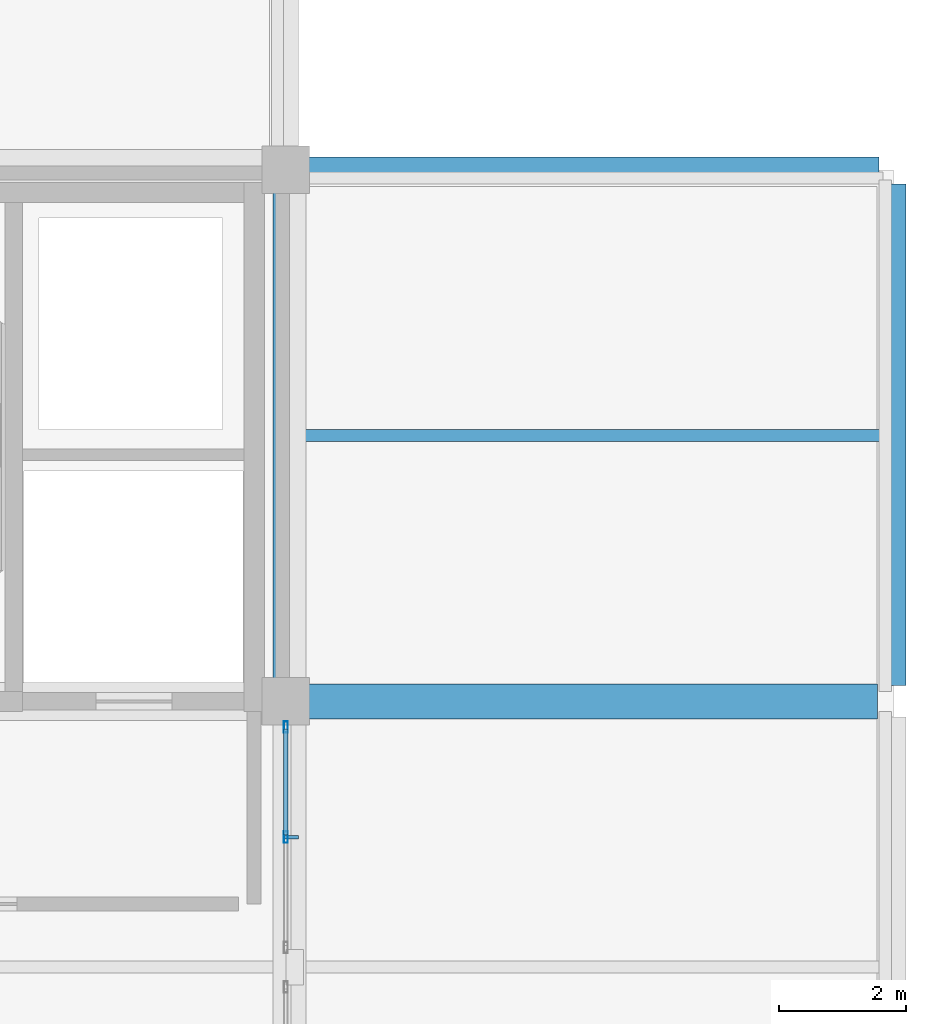
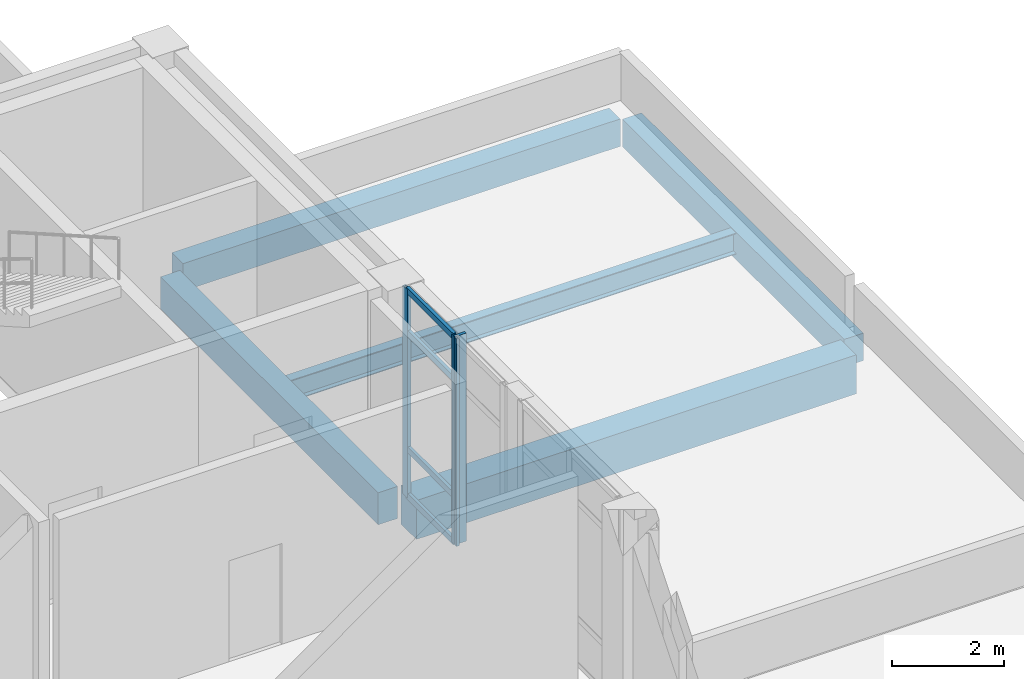
# One storey, part 59 of 88: 7 members, 5 beams, 1 element without a shape of its own.
"""IFC4 building model written with IfcOpenShell, lengths in metres."""

import ifcopenshell
import ifcopenshell.guid

model = None  # the IFC model being written
_history = None  # IfcOwnerHistory: only IFC2X3 demands one
_inside = {}  # id of a spatial element -> (the spatial element, [elements in it])
_under = {}  # id of a project, library or spatial element -> (it, [spatial elements below it])
_declared = {}  # id of a project -> (the project, [libraries it declares])
_typed = {}  # id of a type object -> (the type object, [elements of that type])
_made_of = {}  # id of a material, layer set ... -> (it, [elements and type objects made of it])


def new_model(schema):
    """Start an empty IFC model of exactly this schema.

    Asked for "IFC4X3", IfcOpenShell would pick the latest addendum, in which some entities
    have other attributes; the version numbers below select the first issue.
    IFC2X3 requires an IfcOwnerHistory on every rooted entity: one is made here for all.
    """
    global model, _history
    if schema == "IFC4X3":
        model = ifcopenshell.file(schema_version=(4, 3, 0, 0))
    else:
        model = ifcopenshell.file(schema=schema)
    _inside.clear()
    _under.clear()
    _declared.clear()
    _typed.clear()
    _made_of.clear()
    _history = None
    if model.schema == "IFC2X3":
        org = make("IfcOrganization", Name="unknown")
        user = make(
            "IfcPersonAndOrganization",
            ThePerson=make("IfcPerson", FamilyName="unknown"),
            TheOrganization=org,
        )
        app = make(
            "IfcApplication",
            ApplicationDeveloper=org,
            Version="unknown",
            ApplicationFullName="unknown",
            ApplicationIdentifier="unknown",
        )
        _history = make(
            "IfcOwnerHistory",
            OwningUser=user,
            OwningApplication=app,
            ChangeAction="ADDED",
            CreationDate=0,
        )
    return model


def make(cls, **values):
    """One entity of the class cls with the attributes given. An attribute that is None is left unset."""
    return model.create_entity(
        cls, **{name: value for name, value in values.items() if value is not None}
    )


def rooted(cls, **values):
    """An entity with a GlobalId (a new one), such as an element, a storey or a relation."""
    return make(cls, GlobalId=ifcopenshell.guid.new(), OwnerHistory=_history, **values)


def si_unit(unit_type, name, prefix=None):
    """IfcSIUnit, for example si_unit("LENGTHUNIT", "METRE", prefix="MILLI")."""
    return make("IfcSIUnit", UnitType=unit_type, Prefix=prefix, Name=name)


def assignment(units):
    """IfcUnitAssignment: the units of a project."""
    return None if units is None else make("IfcUnitAssignment", Units=units)


def point(xyz):
    """IfcCartesianPoint."""
    return None if xyz is None else make("IfcCartesianPoint", Coordinates=xyz)


def direction(xyz):
    """IfcDirection."""
    return None if xyz is None else make("IfcDirection", DirectionRatios=xyz)


def frame(location, z_axis=None, x_axis=None):
    """IfcAxis2Placement3D, a coordinate frame: its origin and axes. An axis left out is left unset."""
    return make(
        "IfcAxis2Placement3D",
        Location=point(location),
        Axis=direction(z_axis),
        RefDirection=direction(x_axis),
    )


def frame_2d(location, x_axis=None):
    """IfcAxis2Placement2D, a coordinate frame in the plane: its origin and x axis."""
    return make(
        "IfcAxis2Placement2D", Location=point(location), RefDirection=direction(x_axis)
    )


def origin():
    """The frame at (0, 0, 0) with its axes left unset."""
    return frame((0.0, 0.0, 0.0))


def origin_2d():
    """The frame at (0, 0) in the plane with its x axis left unset."""
    return frame_2d((0.0, 0.0))


def place(relative_to, where):
    """IfcLocalPlacement: puts the frame where relative to a parent placement (None: the world)."""
    return make(
        "IfcLocalPlacement", PlacementRelTo=relative_to, RelativePlacement=where
    )


def context(
    kind, dimensions, precision=None, world=None, true_north=None, identifier=None
):
    """IfcGeometricRepresentationContext, for example the 3D "Model" context."""
    return make(
        "IfcGeometricRepresentationContext",
        ContextIdentifier=identifier,
        ContextType=kind,
        CoordinateSpaceDimension=dimensions,
        Precision=precision,
        WorldCoordinateSystem=world,
        TrueNorth=true_north,
    )


def subcontext(parent, identifier, kind, view, scale=None):
    """IfcGeometricRepresentationSubContext, for example "Body" below "Model"."""
    return make(
        "IfcGeometricRepresentationSubContext",
        ContextIdentifier=identifier,
        ContextType=kind,
        ParentContext=parent,
        TargetScale=scale,
        TargetView=view,
    )


def project(units=None, contexts=None):
    """IfcProject with its units and contexts."""
    return rooted(
        "IfcProject",
        Name="project",
        RepresentationContexts=contexts,
        UnitsInContext=assignment(units),
    )


def spatial(cls, under=None, at=None, **own):
    """A site, building, storey or space (cls), placed at a placement, below another one or the project."""
    s = rooted(cls, ObjectPlacement=at, **own)
    if under is not None:
        _under.setdefault(under.id(), (under, []))[1].append(s)
    return s


def profile(cls, at=None, kind="AREA", **sizes):
    """A parametric profile (cls). Its sizes go by their IFC names, for example OverallWidth=200.0."""
    return make(cls, ProfileType=kind, Position=at, **sizes)


def rectangle(**sizes):
    """IfcRectangleProfileDef."""
    return profile("IfcRectangleProfileDef", **sizes)


def hollow_rectangle(**sizes):
    """IfcRectangleHollowProfileDef."""
    return profile("IfcRectangleHollowProfileDef", **sizes)


def i_section(**sizes):
    """IfcIShapeProfileDef."""
    return profile("IfcIShapeProfileDef", **sizes)


def extrude(swept, where, along, depth):
    """IfcExtrudedAreaSolid: the profile swept, set in the frame where, extruded along a direction by depth."""
    return make(
        "IfcExtrudedAreaSolid",
        SweptArea=swept,
        Position=where,
        ExtrudedDirection=direction(along),
        Depth=depth,
    )


def shape(context_of_items, identifier, shape_type, items):
    """IfcShapeRepresentation: the items that make up one representation, for example the "Body"."""
    return make(
        "IfcShapeRepresentation",
        ContextOfItems=context_of_items,
        RepresentationIdentifier=identifier,
        RepresentationType=shape_type,
        Items=items,
    )


def material(Name=None, Category=None):
    """IfcMaterial."""
    return make("IfcMaterial", Name=Name, Category=Category)


def layer(
    of_material, thickness, ventilated=None, Name=None, Category=None, Priority=None
):
    """IfcMaterialLayer: one layer of a wall or slab, of a material (None: an air gap)."""
    return make(
        "IfcMaterialLayer",
        Material=of_material,
        LayerThickness=thickness,
        IsVentilated=ventilated,
        Name=Name,
        Category=Category,
        Priority=Priority,
    )


def layer_set(layers, Name=None):
    """IfcMaterialLayerSet."""
    return make("IfcMaterialLayerSet", MaterialLayers=layers, LayerSetName=Name)


def material_profile(
    of_material, cross_section, Name=None, Category=None, Priority=None
):
    """IfcMaterialProfile: a cross section and its material."""
    return make(
        "IfcMaterialProfile",
        Name=Name,
        Material=of_material,
        Profile=cross_section,
        Priority=Priority,
        Category=Category,
    )


def profile_set(profiles, Name=None, composite=None):
    """IfcMaterialProfileSet."""
    return make(
        "IfcMaterialProfileSet",
        Name=Name,
        MaterialProfiles=profiles,
        CompositeProfile=composite,
    )


def made_of(thing, what):
    """Note that an element or type object is made of a material, layer set ...; save() writes the relation."""
    if what is not None:
        _made_of.setdefault(what.id(), (what, []))[1].append(thing)
    return thing


def type_object(cls, material=None, **own):
    """A type object (cls), such as IfcWallType, which elements share."""
    return made_of(rooted(cls, **own), material)


def element(
    cls,
    number,
    at=None,
    inside=None,
    cuts=None,
    type_object=None,
    material=None,
    context=None,
    identifier="Body",
    shape_type=None,
    held_by="IfcProductDefinitionShape",
    body=None,
    shapes=None,
    **own,
):
    """One element of the class cls, such as IfcWall. Its Tag is "e" and its number.

    at: its placement. inside: the storey or other place that contains it. cuts: it is an
    opening in that element (IfcRelVoidsElement). A single representation is given by context,
    identifier, shape_type and body (its items); several are given by shapes. held_by: the class
    of the entity that holds the representations. save() writes the other relations.
    """
    e = rooted(cls, Tag="e%d" % number, ObjectPlacement=at, **own)
    if body is not None:
        shapes = [shape(context, identifier, shape_type, body)]
    if shapes is not None:
        e.Representation = make(held_by, Representations=shapes)
    if inside is not None:
        _inside.setdefault(inside.id(), (inside, []))[1].append(e)
    if cuts is not None:
        rooted(
            "IfcRelVoidsElement", RelatingBuildingElement=cuts, RelatedOpeningElement=e
        )
    if type_object is not None:
        _typed.setdefault(type_object.id(), (type_object, []))[1].append(e)
    return made_of(e, material)


def aggregate(whole, parts):
    """IfcRelAggregates: a whole, such as a stair, and the parts it consists of."""
    return rooted("IfcRelAggregates", RelatingObject=whole, RelatedObjects=parts)


def save(model, path):
    """Write the relations noted so far, then the file.

    IfcRelAggregates (storeys below a building ...), IfcRelContainedInSpatialStructure (elements
    in a storey), IfcRelDefinesByType, IfcRelAssociatesMaterial and IfcRelDeclares: one each for
    every whole, place, type object, material and project.
    """
    for whole, parts in _under.values():
        aggregate(whole, parts)
    for where, things in _inside.values():
        rooted(
            "IfcRelContainedInSpatialStructure",
            RelatedElements=things,
            RelatingStructure=where,
        )
    for kind, things in _typed.values():
        rooted("IfcRelDefinesByType", RelatedObjects=things, RelatingType=kind)
    for what, things in _made_of.values():
        rooted("IfcRelAssociatesMaterial", RelatedObjects=things, RelatingMaterial=what)
    for by, libraries in _declared.values():
        rooted("IfcRelDeclares", RelatingContext=by, RelatedDefinitions=libraries)
    model.write(path)


model = new_model("IFC4")

# Units and contexts
model_context = context("Model", 3, precision=1e-05, world=origin(), true_north=direction((0.0, 1.0)))
body_context = subcontext(model_context, "Body", "Model", "MODEL_VIEW")
ifc_project = project(units=[si_unit("LENGTHUNIT", "METRE"), si_unit("AREAUNIT", "SQUARE_METRE"), si_unit("VOLUMEUNIT", "CUBIC_METRE"), si_unit("PLANEANGLEUNIT", "RADIAN"), si_unit("MASSUNIT", "GRAM", prefix="KILO")], contexts=[model_context])

# Site, building, storey
site_placement = place(None, origin())
site = spatial("IfcSite", under=ifc_project, at=site_placement, CompositionType="ELEMENT")
building_placement = place(site_placement, origin())
building = spatial("IfcBuilding", under=site, at=building_placement, Name="Lornevale Opera House", CompositionType="ELEMENT")
storey_placement = place(building_placement, frame((0.0, 0.0, 10.199951171875)))
storey = spatial("IfcBuildingStorey", under=building, at=storey_placement, Name="L03", CompositionType="ELEMENT", Elevation=10.199951171875)

# Beams
ifc_material_1 = material(Name="Concrete 35 MPa (CSA A23.1 N)", Category="concrete")
ifc_material_profile_1 = material_profile(ifc_material_1, rectangle(XDim=0.39990234375, YDim=0.699951171875, at=origin_2d()), Name="RC400x700")
ifc_profile_set_1 = profile_set([ifc_material_profile_1], Name="Concrete 35 MPa (CSA A23.1 N)")
beam_type_1 = type_object("IfcBeamType", Name="Concrete Floor Beam 400x700", PredefinedType="USERDEFINED", material=ifc_profile_set_1)
beam_1_placement = place(storey_placement, frame((144.0, 67.47509765625, -0.639892578125), z_axis=(0.0, 1.0, 0.0), x_axis=(-1.0, 0.0, 0.0)))
element("IfcBeam", 1, at=beam_1_placement, inside=storey, type_object=beam_type_1, Name="Concrete Floor Beam 400x700 2357", ObjectType="GIRDER", PredefinedType="USERDEFINED", context=body_context, shape_type="SweptSolid", body=[
    extrude(rectangle(XDim=0.39990234375, YDim=0.699951171875, at=origin_2d()), origin(), (0.0, 0.0, 1.0), 7.77490234375),
])
ifc_material_profile_2 = material_profile(ifc_material_1, rectangle(XDim=0.550048828125, YDim=0.85009765625, at=origin_2d()), Name="RC550x850")
ifc_profile_set_2 = profile_set([ifc_material_profile_2], Name="Concrete 35 MPa (CSA A23.1 N)")
beam_type_2 = type_object("IfcBeamType", Name="Concrete Primary Girder 550x850", PredefinedType="USERDEFINED", material=ifc_profile_set_2)
beam_2_placement = place(storey_placement, frame((144.27490234375, 67.199951171875, -0.71484375), z_axis=(1.0, 0.0, 0.0), x_axis=(0.0, 1.0, 0.0)))
element("IfcBeam", 2, at=beam_2_placement, inside=storey, type_object=beam_type_2, Name="Concrete Primary Girder 550x850 2177", ObjectType="GIRDER", PredefinedType="USERDEFINED", context=body_context, shape_type="SweptSolid", body=[
    extrude(rectangle(XDim=0.550048828125, YDim=0.85009765625, at=origin_2d()), origin(), (0.0, 0.0, 1.0), 9.0751953125),
])
ifc_material_profile_3 = material_profile(ifc_material_1, rectangle(XDim=0.39990234375, YDim=0.60009765625, at=origin_2d()), Name="RC400x600")
ifc_profile_set_3 = profile_set([ifc_material_profile_3], Name="Concrete 35 MPa (CSA A23.1 N)")
beam_type_3 = type_object("IfcBeamType", Name="Concrete Spandrel Beam 400x600", PredefinedType="SPANDREL", material=ifc_profile_set_3)
beam_3_placement = place(storey_placement, frame((144.35009765625, 75.60009765625, -0.58984375), z_axis=(1.0, 0.0, 0.0), x_axis=(0.0, 1.0, 0.0)))
element("IfcBeam", 3, at=beam_3_placement, inside=storey, type_object=beam_type_3, Name="Concrete Spandrel Beam 400x600 2188", PredefinedType="SPANDREL", context=body_context, shape_type="SweptSolid", body=[
    extrude(rectangle(XDim=0.39990234375, YDim=0.60009765625, at=origin_2d()), origin(), (0.0, 0.0, 1.0), 9.02490234375),
])
beam_4_placement = place(storey_placement, frame((153.60009765625, 67.449951171875, -0.58984375), z_axis=(0.0, 1.0, 0.0), x_axis=(-1.0, 0.0, 0.0)))
element("IfcBeam", 4, at=beam_4_placement, inside=storey, type_object=beam_type_3, Name="Concrete Spandrel Beam 400x600 2365", PredefinedType="SPANDREL", context=body_context, shape_type="SweptSolid", body=[
    extrude(rectangle(XDim=0.39990234375, YDim=0.60009765625, at=origin_2d()), origin(), (0.0, 0.0, 1.0), 7.925048828125),
])

# Curtain wall, members
ifc_material_2 = material(Name="Anodized Oxide-Green Aluminium Framing", Category="aluminium")
ifc_layer = layer(ifc_material_2, 0.179931640625)
ifc_layer_set = layer_set([ifc_layer], Name="Anodized Oxide-Green Aluminium Framing")
curtain_wall_type = type_object("IfcCurtainWallType", Name="Promenade Gallery Curtain Wall M1800", PredefinedType="NOTDEFINED", material=ifc_layer_set)
curtain_wall_placement = place(storey_placement, origin())
curtain_wall = element("IfcCurtainWall", 5, at=curtain_wall_placement, inside=storey, type_object=curtain_wall_type, Name="Promenade Gallery Curtain Wall M1800 CW-147", PredefinedType="NOTDEFINED")
ifc_material_profile_4 = material_profile(ifc_material_2, hollow_rectangle(XDim=0.06494140625, YDim=0.179931640625, WallThickness=0.0048828125, at=origin_2d()), Name="ALU65x180x5")
ifc_profile_set_4 = profile_set([ifc_material_profile_4], Name="Anodized Oxide-Green Aluminium Framing")
member_type_1 = type_object("IfcMemberType", Name="Curtain Wall Mullion 65x180", PredefinedType="MULLION", material=ifc_profile_set_4)
member_1_placement = place(storey_placement, frame((144.0, 66.79638671875, 0.0), z_axis=(0.0, 0.0, 1.0), x_axis=(1.0, 0.0, 0.0)))
member_1 = element("IfcMember", 6, at=member_1_placement, type_object=member_type_1, Name="Curtain Wall Mullion 65x180 CW3051", PredefinedType="MULLION", context=body_context, shape_type="SweptSolid", body=[
    extrude(hollow_rectangle(XDim=0.06494140625, YDim=0.179931640625, WallThickness=0.0048828125, at=origin_2d()), origin(), (0.0, 0.0, 1.0), 4.5400390625),
])
member_2_placement = place(storey_placement, frame((144.0, 65.054443359375, 0.0), z_axis=(0.0, 0.0, 1.0), x_axis=(1.0, 0.0, 0.0)))
member_2 = element("IfcMember", 7, at=member_2_placement, type_object=member_type_1, Name="Curtain Wall Mullion 65x180 CW3052", PredefinedType="MULLION", context=body_context, shape_type="SweptSolid", body=[
    extrude(hollow_rectangle(XDim=0.06494140625, YDim=0.179931640625, WallThickness=0.0048828125, at=origin_2d()), origin(), (0.0, 0.0, 1.0), 4.5400390625),
])
ifc_material_profile_5 = material_profile(ifc_material_2, hollow_rectangle(XDim=0.06494140625, YDim=0.135009765625, WallThickness=0.00390625, at=origin_2d()), Name="ALU65x135x4")
ifc_profile_set_5 = profile_set([ifc_material_profile_5], Name="Anodized Oxide-Green Aluminium Framing")
member_type_2 = type_object("IfcMemberType", Name="Curtain Wall Transom 65x135", PredefinedType="USERDEFINED", material=ifc_profile_set_5)
member_3_placement = place(storey_placement, frame((144.0, 66.763916015625, 0.032470703125), z_axis=(0.0, -1.0, 0.0), x_axis=(1.0, 0.0, 0.0)))
member_3 = element("IfcMember", 8, at=member_3_placement, type_object=member_type_2, Name="Curtain Wall Transom 65x135 CW3054", ObjectType="TRANSOM", PredefinedType="USERDEFINED", context=body_context, shape_type="SweptSolid", body=[
    extrude(hollow_rectangle(XDim=0.06494140625, YDim=0.135009765625, WallThickness=0.00390625, at=origin_2d()), origin(), (0.0, 0.0, 1.0), 1.677001953125),
])
member_4_placement = place(storey_placement, frame((144.0, 66.763916015625, 1.050048828125), z_axis=(0.0, -1.0, 0.0), x_axis=(1.0, 0.0, 0.0)))
member_4 = element("IfcMember", 9, at=member_4_placement, type_object=member_type_2, Name="Curtain Wall Transom 65x135 CW3055", ObjectType="TRANSOM", PredefinedType="USERDEFINED", context=body_context, shape_type="SweptSolid", body=[
    extrude(hollow_rectangle(XDim=0.06494140625, YDim=0.135009765625, WallThickness=0.00390625, at=origin_2d()), origin(), (0.0, 0.0, 1.0), 1.677001953125),
])
member_5_placement = place(storey_placement, frame((144.0, 66.763916015625, 3.590087890625), z_axis=(0.0, -1.0, 0.0), x_axis=(1.0, 0.0, 0.0)))
member_5 = element("IfcMember", 10, at=member_5_placement, type_object=member_type_2, Name="Curtain Wall Transom 65x135 CW3056", ObjectType="TRANSOM", PredefinedType="USERDEFINED", context=body_context, shape_type="SweptSolid", body=[
    extrude(hollow_rectangle(XDim=0.06494140625, YDim=0.135009765625, WallThickness=0.00390625, at=origin_2d()), origin(), (0.0, 0.0, 1.0), 1.677001953125),
])
member_6_placement = place(storey_placement, frame((144.0, 66.763916015625, 4.507568359375), z_axis=(0.0, -1.0, 0.0), x_axis=(1.0, 0.0, 0.0)))
member_6 = element("IfcMember", 11, at=member_6_placement, type_object=member_type_2, Name="Curtain Wall Transom 65x135 CW3057", ObjectType="TRANSOM", PredefinedType="USERDEFINED", context=body_context, shape_type="SweptSolid", body=[
    extrude(hollow_rectangle(XDim=0.06494140625, YDim=0.135009765625, WallThickness=0.00390625, at=origin_2d()), origin(), (0.0, 0.0, 1.0), 1.677001953125),
])
ifc_material_3 = material(Name="Architectural Bronze Solar Louvre Alloy", Category="metal")
ifc_material_profile_6 = material_profile(ifc_material_3, rectangle(XDim=0.06005859375, YDim=0.239990234375, at=origin_2d()), Name="FIN60x240")
ifc_profile_set_6 = profile_set([ifc_material_profile_6], Name="Architectural Bronze Solar Louvre Alloy")
member_type_3 = type_object("IfcMemberType", Name="Solar Shading Fin 60x240", PredefinedType="USERDEFINED", material=ifc_profile_set_6)
member_7_placement = place(storey_placement, frame((144.083984375, 65.054443359375, 0.0), z_axis=(0.0, 0.0, 1.0), x_axis=(0.0, -1.0, 0.0)))
member_7 = element("IfcMember", 12, at=member_7_placement, type_object=member_type_3, Name="Solar Shading Fin 60x240 FIN0062", ObjectType="SOLAR FIN", PredefinedType="USERDEFINED", context=body_context, shape_type="SweptSolid", body=[
    extrude(rectangle(XDim=0.06005859375, YDim=0.239990234375, at=origin_2d()), origin(), (0.0, 0.0, 1.0), 4.5400390625),
])
aggregate(curtain_wall, [member_1, member_2, member_3, member_4, member_5, member_6, member_7])

# Beam
ifc_material_4 = material(Name="Structural Steel CSA G40.21 Grade 350W (350 MPa)", Category="steel")
ifc_material_profile_7 = material_profile(ifc_material_4, i_section(OverallWidth=0.19189453125, OverallDepth=0.462890625, WebThickness=0.010498046875, FlangeThickness=0.017578125, at=origin_2d()), Name="W460x89")
ifc_profile_set_7 = profile_set([ifc_material_profile_7], Name="Structural Steel CSA G40.21 Grade 350W (350 MPa)")
beam_type_4 = type_object("IfcBeamType", Name="Steel Floor Joist W460x89", PredefinedType="JOIST", material=ifc_profile_set_7)
beam_5_placement = place(storey_placement, frame((144.199951171875, 71.39990234375, -0.536376953125), z_axis=(1.0, 0.0, 0.0), x_axis=(0.0, 1.0, 0.0)))
element("IfcBeam", 13, at=beam_5_placement, inside=storey, type_object=beam_type_4, Name="Steel Floor Joist W460x89 2458", PredefinedType="JOIST", context=body_context, shape_type="SweptSolid", body=[
    extrude(i_section(OverallWidth=0.19189453125, OverallDepth=0.462890625, WebThickness=0.010498046875, FlangeThickness=0.017578125, at=origin_2d()), origin(), (0.0, 0.0, 1.0), 9.199951171875),
])

save(model, "model.ifc")
